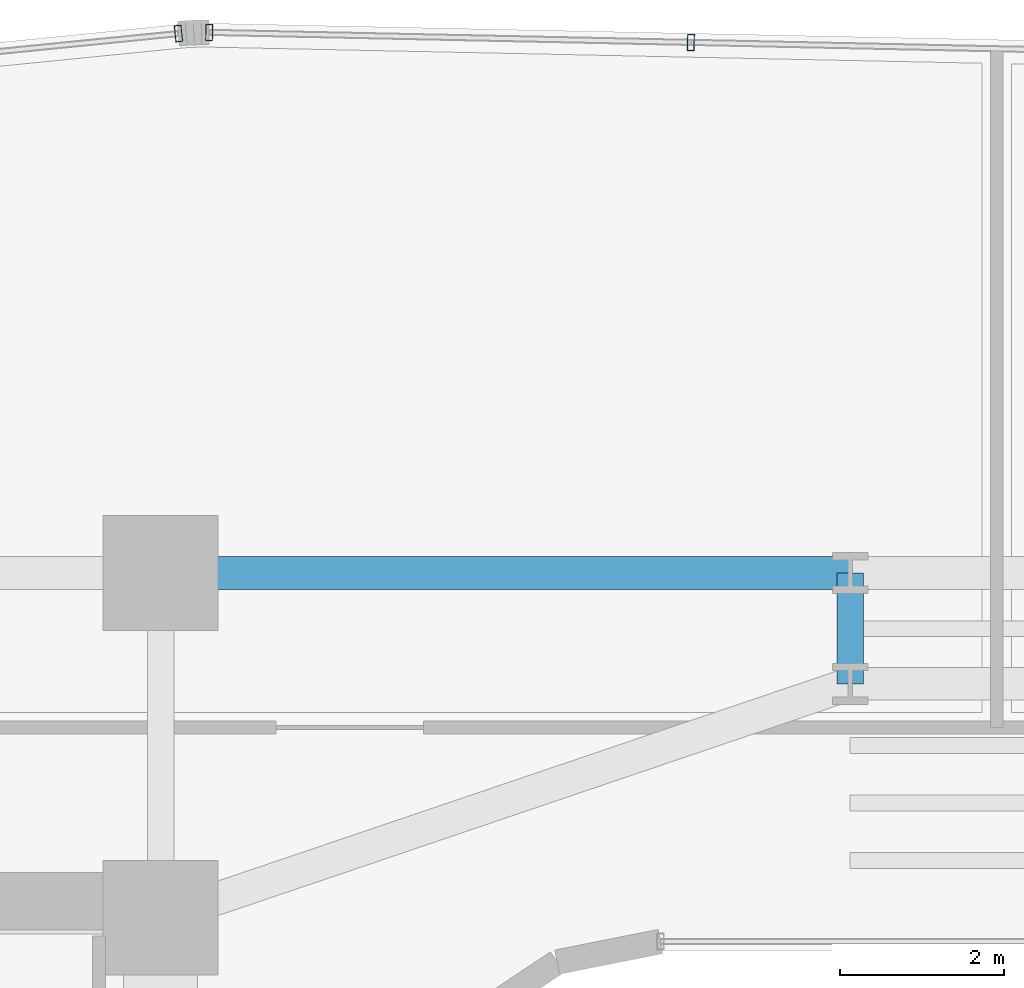
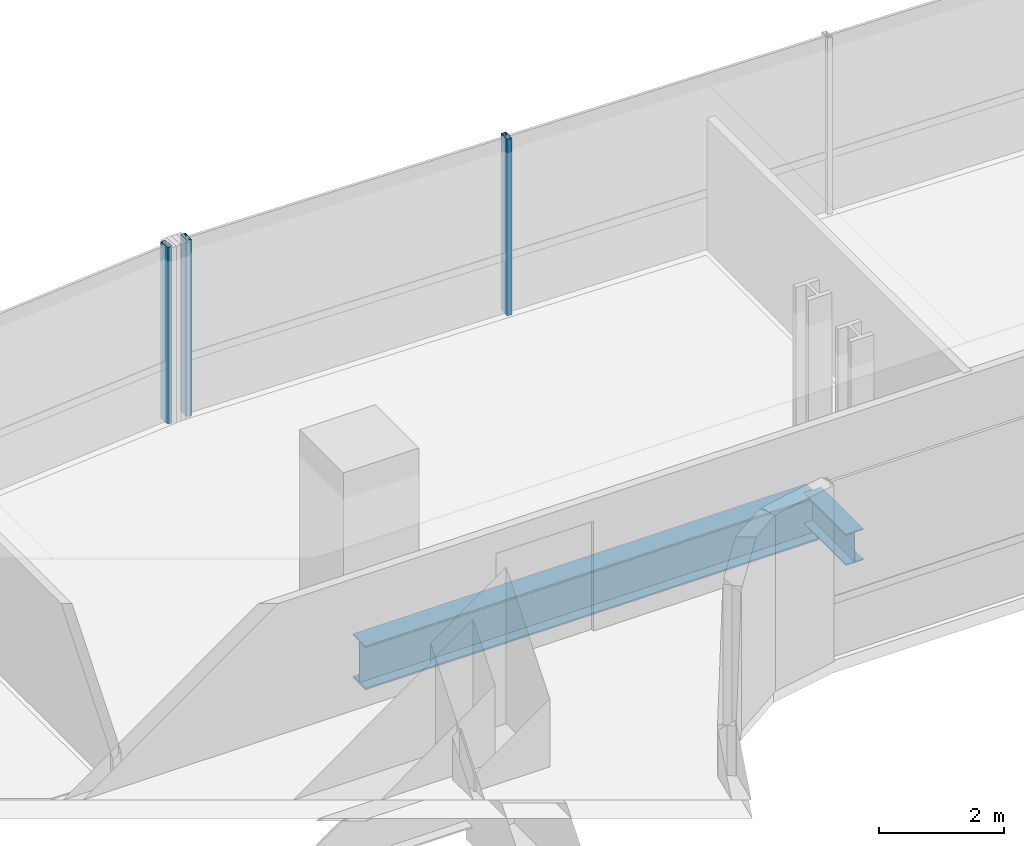
# One storey, part 20 of 40: 3 members, 2 beams, 2 elements without a shape of their own.
"""IFC4 building model written with IfcOpenShell, lengths in metres."""

from ifc_helpers import new_model, si_unit, direction, frame, origin, origin_2d, place, context, subcontext, project, spatial, hollow_rectangle, i_section, extrude, source, transform, mapped, material, material_profile, profile_set, type_object, element, aggregate, save


model = new_model("IFC4")

# Units and contexts
model_context = context("Model", 3, precision=1e-05, world=origin(), true_north=direction((0.0, 1.0)))
body_context = subcontext(model_context, "Body", "Model", "MODEL_VIEW")
ifc_project = project(units=[si_unit("LENGTHUNIT", "METRE"), si_unit("AREAUNIT", "SQUARE_METRE"), si_unit("VOLUMEUNIT", "CUBIC_METRE"), si_unit("PLANEANGLEUNIT", "RADIAN"), si_unit("MASSUNIT", "GRAM", prefix="KILO")], contexts=[model_context])

# Site, building, storey
site_placement = place(None, origin())
site = spatial("IfcSite", under=ifc_project, at=site_placement, CompositionType="ELEMENT")
building_placement = place(site_placement, origin())
building = spatial("IfcBuilding", under=site, at=building_placement, Name="Valdorenza Pilgrim Sanctuary Tower", CompositionType="ELEMENT")
storey_placement = place(building_placement, frame((0.0, 0.0, 66.699951171875)))
storey = spatial("IfcBuildingStorey", under=building, at=storey_placement, Name="L16", CompositionType="ELEMENT", Elevation=66.699951171875)

# Beams
ifc_material_1 = material(Name="Steel ASTM A992 Grade 50", Category="steel")
ifc_material_profile_1 = material_profile(ifc_material_1, i_section(OverallWidth=0.39990234375, OverallDepth=0.862060546875, WebThickness=0.019775390625, FlangeThickness=0.032470703125, at=origin_2d()), Name="W33X221")
ifc_profile_set_1 = profile_set([ifc_material_profile_1], Name="Steel ASTM A992 Grade 50")
beam_type_1 = type_object("IfcBeamType", Name="STR-BM-GRD-W33", PredefinedType="BEAM", material=ifc_profile_set_1)
shared_shape_1 = source(origin(), body_context, "Body", "SweptSolid", [
    extrude(i_section(OverallWidth=0.39990234375, OverallDepth=0.862060546875, WebThickness=0.019775390625, FlangeThickness=0.032470703125, at=origin_2d()), origin(), (0.0, 0.0, 1.0), 8.39990234375),
])
beam_1_placement = place(storey_placement, frame((-12.39990234375, 14.800048828125, -0.6708984375), z_axis=(1.0, 0.0, 0.0), x_axis=(0.0, 1.0, 0.0)))
element("IfcBeam", 1, at=beam_1_placement, inside=storey, type_object=beam_type_1, Name="L16 Floor Girder KNK-G4", PredefinedType="BEAM", context=body_context, shape_type="MappedRepresentation", body=[
    mapped(shared_shape_1, transform((0.0, 0.0, 0.0), x_axis=(1.0, 0.0, 0.0), y_axis=(0.0, 1.0, 0.0), z_axis=(0.0, 0.0, 1.0), scale=1.0)),
])
ifc_material_profile_2 = material_profile(ifc_material_1, i_section(OverallWidth=0.323974609375, OverallDepth=0.611083984375, WebThickness=0.0126953125, FlangeThickness=0.01904296875, at=origin_2d()), Name="W24X104")
ifc_profile_set_2 = profile_set([ifc_material_profile_2], Name="Steel ASTM A992 Grade 50")
beam_type_2 = type_object("IfcBeamType", Name="STR-BM-GRD-W24B", PredefinedType="BEAM", material=ifc_profile_set_2)
shared_shape_2 = source(origin(), body_context, "Body", "SweptSolid", [
    extrude(i_section(OverallWidth=0.323974609375, OverallDepth=0.611083984375, WebThickness=0.0126953125, FlangeThickness=0.01904296875, at=origin_2d()), origin(), (0.0, 0.0, 1.0), 1.35009765625),
])
beam_2_placement = place(storey_placement, frame((-4.0, 13.449951171875, -0.54541015625), z_axis=(0.0, 1.0, 0.0), x_axis=(-1.0, 0.0, 0.0)))
element("IfcBeam", 2, at=beam_2_placement, inside=storey, type_object=beam_type_2, Name="L16 Floor Girder KNK-TIE-W", PredefinedType="BEAM", context=body_context, shape_type="MappedRepresentation", body=[
    mapped(shared_shape_2, transform((0.0, 0.0, 0.0), x_axis=(1.0, 0.0, 0.0), y_axis=(0.0, 1.0, 0.0), z_axis=(0.0, 0.0, 1.0), scale=1.0)),
])

# Curtain wall, member
ifc_material_2 = material(Name="Curtain-wall IGU glazing", Category="glass")
curtain_wall_type = type_object("IfcCurtainWallType", Name="CW-SYS-02", PredefinedType="NOTDEFINED", material=ifc_material_2)
curtain_wall_1_placement = place(storey_placement, origin())
curtain_wall_1 = element("IfcCurtainWall", 3, at=curtain_wall_1_placement, inside=storey, type_object=curtain_wall_type, Name="L16 Curtain Wall CW-L16-1-6", PredefinedType="NOTDEFINED")
ifc_material_3 = material(Name="Anodised aluminium AW-6060", Category="aluminium")
ifc_material_profile_3 = material_profile(ifc_material_3, hollow_rectangle(XDim=0.0849609375, YDim=0.199951171875, WallThickness=0.0048828125, at=origin_2d()), Name="ALU-M 200x85x5")
ifc_profile_set_3 = profile_set([ifc_material_profile_3], Name="Anodised aluminium AW-6060")
member_type = type_object("IfcMemberType", Name="CW-MUL-02", PredefinedType="MULLION", material=ifc_profile_set_3)
shared_shape_3 = source(origin(), body_context, "Body", "SweptSolid", [
    extrude(hollow_rectangle(XDim=0.0849609375, YDim=0.199951171875, WallThickness=0.0048828125, at=origin_2d()), origin(), (0.0, 0.0, 1.0), 3.4599609375),
])
member_1_placement = place(storey_placement, frame((-12.181884765625, 21.371337890625, 0.0), z_axis=(0.0, 0.0, 1.0), x_axis=(0.995038220239, 0.099493418189, 0.0)))
member_1 = element("IfcMember", 4, at=member_1_placement, type_object=member_type, Name="CW-L16-1-6 Mullion 4", PredefinedType="MULLION", context=body_context, shape_type="MappedRepresentation", body=[
    mapped(shared_shape_3, transform((0.0, 0.0, 0.0), x_axis=(1.0, 0.0, 0.0), y_axis=(0.0, 1.0, 0.0), z_axis=(0.0, 0.0, 1.0), scale=1.0)),
])
aggregate(curtain_wall_1, [member_1])

# Curtain wall, members
curtain_wall_2_placement = place(storey_placement, origin())
curtain_wall_2 = element("IfcCurtainWall", 5, at=curtain_wall_2_placement, inside=storey, type_object=curtain_wall_type, Name="L16 Curtain Wall CW-L16-1-11", PredefinedType="NOTDEFINED")
member_2_placement = place(storey_placement, frame((-11.808349609375, 21.385986328125, 0.0), z_axis=(0.0, 0.0, 1.0), x_axis=(0.999783234613, -0.020820273474, 0.0)))
member_2 = element("IfcMember", 6, at=member_2_placement, type_object=member_type, Name="CW-L16-1-11 Mullion 1", PredefinedType="MULLION", context=body_context, shape_type="MappedRepresentation", body=[
    mapped(shared_shape_3, transform((0.0, 0.0, 0.0), x_axis=(1.0, 0.0, 0.0), y_axis=(0.0, 1.0, 0.0), z_axis=(0.0, 0.0, 1.0), scale=1.0)),
])
member_3_placement = place(storey_placement, frame((-5.93994140625, 21.263671875, 0.0), z_axis=(0.0, 0.0, 1.0), x_axis=(0.999783234613, -0.020820273474, 0.0)))
member_3 = element("IfcMember", 7, at=member_3_placement, type_object=member_type, Name="CW-L16-1-11 Mullion 2", PredefinedType="MULLION", context=body_context, shape_type="MappedRepresentation", body=[
    mapped(shared_shape_3, transform((0.0, 0.0, 0.0), x_axis=(1.0, 0.0, 0.0), y_axis=(0.0, 1.0, 0.0), z_axis=(0.0, 0.0, 1.0), scale=1.0)),
])
aggregate(curtain_wall_2, [member_2, member_3])

save(model, "model.ifc")
